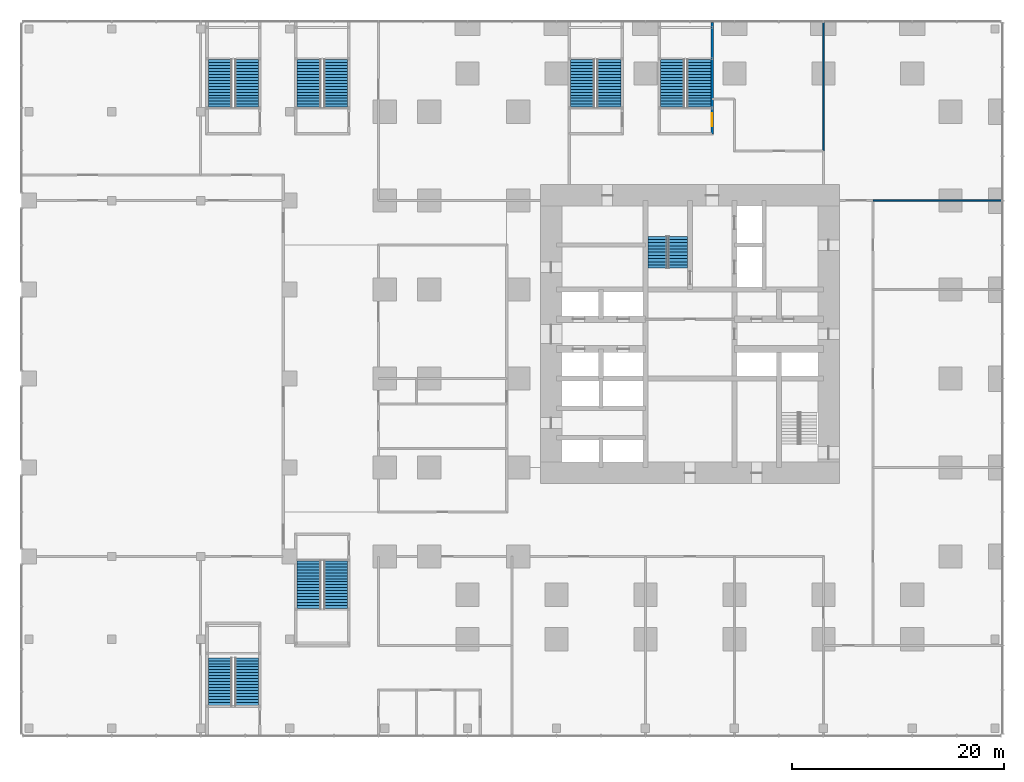
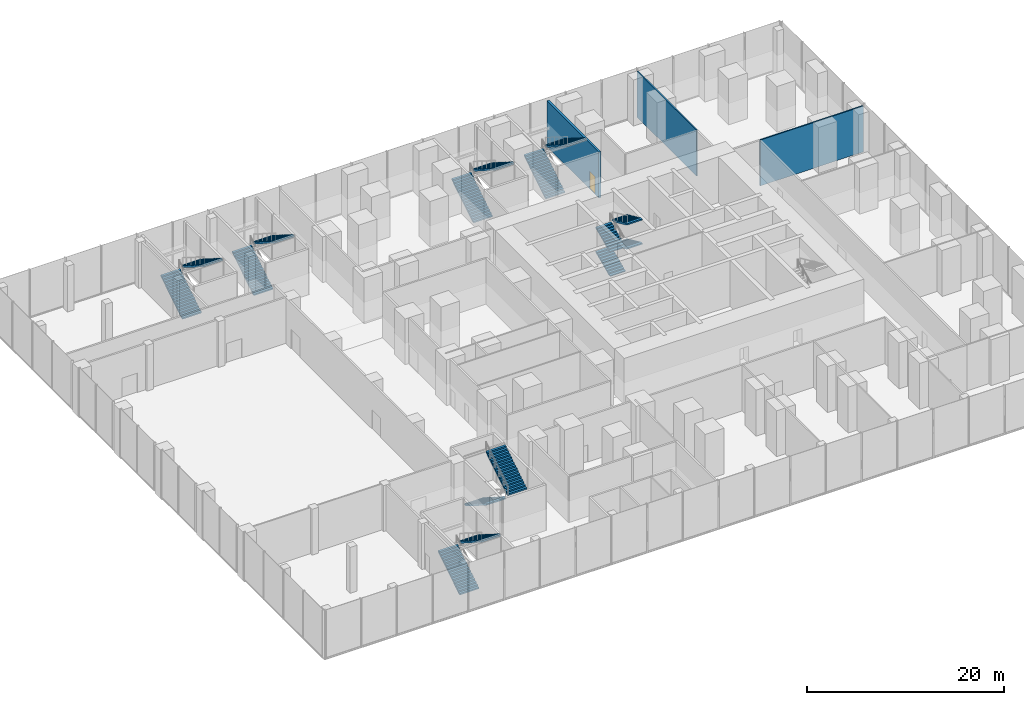
# One storey, part 29 of 32: 16 stair flights, 3 walls, 1 door, 1 opening, 7 elements without a shape of their own.
"""IFC4 building model written with IfcOpenShell, lengths in metres."""

from ifc_helpers import new_model, si_unit, direction, frame, frame_2d, origin, place, context, subcontext, project, spatial, polyline, rectangle, outline, extrude, material, layer, layer_set, type_object, element, fill, aggregate, save


model = new_model("IFC4")

# Units and contexts
model_context = context("Model", 3, precision=1e-05, world=origin(), true_north=direction((0.0, 1.0)))
body_context = subcontext(model_context, "Body", "Model", "MODEL_VIEW")
ifc_project = project(units=[si_unit("LENGTHUNIT", "METRE"), si_unit("AREAUNIT", "SQUARE_METRE"), si_unit("VOLUMEUNIT", "CUBIC_METRE"), si_unit("PLANEANGLEUNIT", "RADIAN"), si_unit("MASSUNIT", "GRAM", prefix="KILO")], contexts=[model_context])

# Site, building, storey
site_placement = place(None, origin())
site = spatial("IfcSite", under=ifc_project, at=site_placement, CompositionType="ELEMENT")
building_placement = place(site_placement, origin())
building = spatial("IfcBuilding", under=site, at=building_placement, Name="Dunama Terrace Hotel", CompositionType="ELEMENT")
storey_placement = place(building_placement, frame((0.0, 0.0, 6.0)))
storey = spatial("IfcBuildingStorey", under=building, at=storey_placement, Name="L01", CompositionType="ELEMENT", Elevation=6.0)

# Walls
ifc_material_1 = material(Name="Gypsum board partition", Category="masonry")
ifc_layer_1 = layer(ifc_material_1, 0.14990234375)
ifc_layer_set_1 = layer_set([ifc_layer_1], Name="Room partition 150")
wall_type_1 = type_object("IfcWallType", Name="Room partition 150", PredefinedType="PARTITIONING", material=ifc_layer_set_1)
for number, where, z_axis, x_axis, name in (
    (1, (42.0, 46.699951171875, 0.0), (0.0, 0.0, 1.0), (0.0, 1.0, 0.0), "Room partition 150 L01"),
    (2, (46.699951171875, 42.0, 0.0), (0.0, 0.0, 1.0), (1.0, 0.0, 0.0), "Room partition 150 L01"),
):
    element("IfcWall", number, at=place(storey_placement, frame(where, z_axis=z_axis, x_axis=x_axis)), inside=storey, type_object=wall_type_1, Name=name, PredefinedType="PARTITIONING", context=body_context, shape_type="SweptSolid", body=[
        extrude(rectangle(XDim=12.10009765625, YDim=0.14990234375, at=frame_2d((6.050048828125, 0.0))), origin(), (0.0, 0.0, 1.0), 5.699951171875),
    ])

# Wall, opening, door
ifc_material_2 = material(Name="Concrete blockwork", Category="masonry")
ifc_layer_2 = layer(ifc_material_2, 0.25)
ifc_layer_set_2 = layer_set([ifc_layer_2], Name="Stair enclosure wall 250")
wall_type_2 = type_object("IfcWallType", Name="Stair enclosure wall 250", PredefinedType="PARTITIONING", material=ifc_layer_set_2)
wall_placement = place(storey_placement, frame((31.5, 48.300048828125, 0.0), z_axis=(0.0, 0.0, 1.0), x_axis=(0.0, 1.0, 0.0)))
wall = element("IfcWall", 3, at=wall_placement, inside=storey, type_object=wall_type_2, Name="Stair enclosure wall 250 L01", PredefinedType="PARTITIONING", context=body_context, shape_type="SweptSolid", body=[
    extrude(rectangle(XDim=10.52294921875, YDim=0.25, at=frame_2d((5.261474609375, 0.0))), origin(), (0.0, 0.0, 1.0), 5.699951171875),
])
opening_placement = place(wall_placement, frame((0.72509765625, 0.0, 0.0)))
opening = element("IfcOpeningElement", 4, at=opening_placement, cuts=wall, Name="Opening L01-008", PredefinedType="OPENING", context=body_context, shape_type="SweptSolid", body=[
    extrude(rectangle(XDim=1.199951171875, YDim=2.199951171875, at=frame_2d((0.60009765625, 1.10009765625))), frame((0.0, 0.135009765625, 0.0), z_axis=(0.0, -1.0, 0.0), x_axis=(1.0, 0.0, 0.0)), (0.0, 0.0, 1.0), 0.27001953125),
])
ifc_material_3 = material(Name="Timber door with steel frame", Category="steel")
door_type = type_object("IfcDoorType", Name="Stair door 1200", OperationType="SINGLE_SWING_LEFT", PredefinedType="DOOR", material=ifc_material_3)
door_placement = place(opening_placement, origin())
door = element("IfcDoor", 5, at=door_placement, inside=storey, type_object=door_type, Name="Stair door P6 L01-008, type D5", OperationType="SINGLE_SWING_RIGHT", OverallHeight=2.199951171875, OverallWidth=1.199951171875, PredefinedType="DOOR", context=body_context, shape_type="SweptSolid", body=[
    extrude(rectangle(XDim=1.199951171875, YDim=2.199951171875, at=frame_2d((0.60009765625, 1.10009765625))), frame((0.0, 0.02490234375, 0.0), z_axis=(0.0, -1.0, 0.0), x_axis=(1.0, 0.0, 0.0)), (0.0, 0.0, 1.0), 0.050048828125),
])
fill(opening, door)

# Stair, stair flights
ifc_material_4 = material(Name="Concrete C40/50", Category="concrete")
stair_type_1 = type_object("IfcStairType", Name="Stair P1-6000-2250", PredefinedType="HALF_TURN_STAIR", material=ifc_material_4)
stair_1_placement = place(storey_placement, origin())
stair_1 = element("IfcStair", 6, at=stair_1_placement, inside=storey, type_object=stair_type_1, Name="Stair P1 L01", PredefinedType="HALF_TURN_STAIR")
ifc_material_5 = material(Name="Concrete C40/50", Category="concrete")
stair_flight_type_1 = type_object("IfcStairFlightType", Name="Stair flight P1-6000-2250", PredefinedType="STRAIGHT", material=ifc_material_5)
stair_flight_1_placement = place(storey_placement, frame((-14.949951171875, 50.824951171875, 0.0), z_axis=(0.0, 0.0, 1.0), x_axis=(0.0, 1.0, 0.0)))
stair_flight_1 = element("IfcStairFlight", 7, at=stair_flight_1_placement, type_object=stair_flight_type_1, Name="P1 flight 1", NumberOfRisers=17, NumberOfTreads=16, PredefinedType="STRAIGHT", RiserHeight=0.176470588, TreadLength=0.28, context=body_context, shape_type="SweptSolid", body=[
    extrude(outline(polyline([(0.0, 0.0), (0.0, 0.176513671875), (0.280029296875, 0.176513671875), (0.280029296875, 0.35302734375), (0.56005859375, 0.35302734375), (0.56005859375, 0.529296875), (0.840087890625, 0.529296875), (0.840087890625, 0.705810546875), (1.1201171875, 0.705810546875), (1.1201171875, 0.88232421875), (1.39990234375, 0.88232421875), (1.39990234375, 1.058837890625), (1.679931640625, 1.058837890625), (1.679931640625, 1.2353515625), (1.9599609375, 1.2353515625), (1.9599609375, 1.411865234375), (2.239990234375, 1.411865234375), (2.239990234375, 1.588134765625), (2.52001953125, 1.588134765625), (2.52001953125, 1.7646484375), (2.800048828125, 1.7646484375), (2.800048828125, 1.941162109375), (3.080078125, 1.941162109375), (3.080078125, 2.11767578125), (3.360107421875, 2.11767578125), (3.360107421875, 2.294189453125), (3.639892578125, 2.294189453125), (3.639892578125, 2.470703125), (3.919921875, 2.470703125), (3.919921875, 2.64697265625), (4.199951171875, 2.64697265625), (4.199951171875, 2.823486328125), (4.47998046875, 2.823486328125), (4.47998046875, 3.0), (4.47998046875, 2.646240234375), (0.28125, 0.0), (0.0, 0.0)])), frame((0.0, 1.125, 0.0), z_axis=(0.0, -1.0, 0.0), x_axis=(1.0, 0.0, 0.0)), (0.0, 0.0, 1.0), 2.25),
])
stair_flight_2_placement = place(storey_placement, frame((-12.449951171875, 55.304931640625, 3.0), z_axis=(0.0, 0.0, 1.0), x_axis=(0.0, -1.0, 0.0)))
stair_flight_2 = element("IfcStairFlight", 8, at=stair_flight_2_placement, type_object=stair_flight_type_1, Name="P1 flight 2", NumberOfRisers=17, NumberOfTreads=16, PredefinedType="STRAIGHT", RiserHeight=0.176470588, TreadLength=0.28, context=body_context, shape_type="SweptSolid", body=[
    extrude(outline(polyline([(0.0, 0.0), (0.0, 0.176513671875), (0.280029296875, 0.176513671875), (0.280029296875, 0.35302734375), (0.56005859375, 0.35302734375), (0.56005859375, 0.529296875), (0.840087890625, 0.529296875), (0.840087890625, 0.705810546875), (1.1201171875, 0.705810546875), (1.1201171875, 0.88232421875), (1.39990234375, 0.88232421875), (1.39990234375, 1.058837890625), (1.679931640625, 1.058837890625), (1.679931640625, 1.2353515625), (1.9599609375, 1.2353515625), (1.9599609375, 1.411865234375), (2.239990234375, 1.411865234375), (2.239990234375, 1.588134765625), (2.52001953125, 1.588134765625), (2.52001953125, 1.7646484375), (2.800048828125, 1.7646484375), (2.800048828125, 1.941162109375), (3.080078125, 1.941162109375), (3.080078125, 2.11767578125), (3.360107421875, 2.11767578125), (3.360107421875, 2.294189453125), (3.639892578125, 2.294189453125), (3.639892578125, 2.470703125), (3.919921875, 2.470703125), (3.919921875, 2.64697265625), (4.199951171875, 2.64697265625), (4.199951171875, 2.823486328125), (4.47998046875, 2.823486328125), (4.47998046875, 3.0), (4.47998046875, 2.646240234375), (0.28125, 0.0), (0.0, 0.0)])), frame((0.0, 1.125, 0.0), z_axis=(0.0, -1.0, 0.0), x_axis=(1.0, 0.0, 0.0)), (0.0, 0.0, 1.0), 2.25),
])
aggregate(stair_1, [stair_flight_1, stair_flight_2])

ifc_material_6 = material(Name="Concrete C40/50", Category="concrete")
stair_type_2 = type_object("IfcStairType", Name="Stair P2-6000-2250", PredefinedType="HALF_TURN_STAIR", material=ifc_material_6)
stair_2_placement = place(storey_placement, origin())
stair_2 = element("IfcStair", 9, at=stair_2_placement, inside=storey, type_object=stair_type_2, Name="Stair P2 L01", PredefinedType="HALF_TURN_STAIR")
ifc_material_7 = material(Name="Concrete C40/50", Category="concrete")
stair_flight_type_2 = type_object("IfcStairFlightType", Name="Stair flight P2-6000-2250", PredefinedType="STRAIGHT", material=ifc_material_7)
stair_flight_3_placement = place(storey_placement, frame((-14.949951171875, -5.64990234375, 0.0), z_axis=(0.0, 0.0, 1.0), x_axis=(0.0, 1.0, 0.0)))
stair_flight_3 = element("IfcStairFlight", 10, at=stair_flight_3_placement, type_object=stair_flight_type_2, Name="P2 flight 1", NumberOfRisers=17, NumberOfTreads=16, PredefinedType="STRAIGHT", RiserHeight=0.176470588, TreadLength=0.28, context=body_context, shape_type="SweptSolid", body=[
    extrude(outline(polyline([(0.0, 0.0), (0.0, 0.176513671875), (0.280029296875, 0.176513671875), (0.280029296875, 0.35302734375), (0.56005859375, 0.35302734375), (0.56005859375, 0.529296875), (0.840087890625, 0.529296875), (0.840087890625, 0.705810546875), (1.1201171875, 0.705810546875), (1.1201171875, 0.88232421875), (1.39990234375, 0.88232421875), (1.39990234375, 1.058837890625), (1.679931640625, 1.058837890625), (1.679931640625, 1.2353515625), (1.9599609375, 1.2353515625), (1.9599609375, 1.411865234375), (2.239990234375, 1.411865234375), (2.239990234375, 1.588134765625), (2.52001953125, 1.588134765625), (2.52001953125, 1.7646484375), (2.800048828125, 1.7646484375), (2.800048828125, 1.941162109375), (3.080078125, 1.941162109375), (3.080078125, 2.11767578125), (3.360107421875, 2.11767578125), (3.360107421875, 2.294189453125), (3.639892578125, 2.294189453125), (3.639892578125, 2.470703125), (3.919921875, 2.470703125), (3.919921875, 2.64697265625), (4.199951171875, 2.64697265625), (4.199951171875, 2.823486328125), (4.47998046875, 2.823486328125), (4.47998046875, 3.0), (4.47998046875, 2.646240234375), (0.28125, 0.0), (0.0, 0.0)])), frame((0.0, 1.125, 0.0), z_axis=(0.0, -1.0, 0.0), x_axis=(1.0, 0.0, 0.0)), (0.0, 0.0, 1.0), 2.25),
])
stair_flight_4_placement = place(storey_placement, frame((-12.449951171875, -1.169921875, 3.0), z_axis=(0.0, 0.0, 1.0), x_axis=(0.0, -1.0, 0.0)))
stair_flight_4 = element("IfcStairFlight", 11, at=stair_flight_4_placement, type_object=stair_flight_type_2, Name="P2 flight 2", NumberOfRisers=17, NumberOfTreads=16, PredefinedType="STRAIGHT", RiserHeight=0.176470588, TreadLength=0.28, context=body_context, shape_type="SweptSolid", body=[
    extrude(outline(polyline([(0.0, 0.0), (0.0, 0.176513671875), (0.280029296875, 0.176513671875), (0.280029296875, 0.35302734375), (0.56005859375, 0.35302734375), (0.56005859375, 0.529296875), (0.840087890625, 0.529296875), (0.840087890625, 0.705810546875), (1.1201171875, 0.705810546875), (1.1201171875, 0.88232421875), (1.39990234375, 0.88232421875), (1.39990234375, 1.058837890625), (1.679931640625, 1.058837890625), (1.679931640625, 1.2353515625), (1.9599609375, 1.2353515625), (1.9599609375, 1.411865234375), (2.239990234375, 1.411865234375), (2.239990234375, 1.588134765625), (2.52001953125, 1.588134765625), (2.52001953125, 1.7646484375), (2.800048828125, 1.7646484375), (2.800048828125, 1.941162109375), (3.080078125, 1.941162109375), (3.080078125, 2.11767578125), (3.360107421875, 2.11767578125), (3.360107421875, 2.294189453125), (3.639892578125, 2.294189453125), (3.639892578125, 2.470703125), (3.919921875, 2.470703125), (3.919921875, 2.64697265625), (4.199951171875, 2.64697265625), (4.199951171875, 2.823486328125), (4.47998046875, 2.823486328125), (4.47998046875, 3.0), (4.47998046875, 2.646240234375), (0.28125, 0.0), (0.0, 0.0)])), frame((0.0, 1.125, 0.0), z_axis=(0.0, -1.0, 0.0), x_axis=(1.0, 0.0, 0.0)), (0.0, 0.0, 1.0), 2.25),
])
aggregate(stair_2, [stair_flight_3, stair_flight_4])

ifc_material_8 = material(Name="Concrete C40/50", Category="concrete")
stair_type_3 = type_object("IfcStairType", Name="Stair P3-6000-2250", PredefinedType="HALF_TURN_STAIR", material=ifc_material_8)
stair_3_placement = place(storey_placement, origin())
stair_3 = element("IfcStair", 12, at=stair_3_placement, inside=storey, type_object=stair_type_3, Name="Stair P3 L01", PredefinedType="HALF_TURN_STAIR")
ifc_material_9 = material(Name="Concrete C40/50", Category="concrete")
stair_flight_type_3 = type_object("IfcStairFlightType", Name="Stair flight P3-6000-2250", PredefinedType="STRAIGHT", material=ifc_material_9)
stair_flight_5_placement = place(storey_placement, frame((-6.550048828125, 50.824951171875, 0.0), z_axis=(0.0, 0.0, 1.0), x_axis=(0.0, 1.0, 0.0)))
stair_flight_5 = element("IfcStairFlight", 13, at=stair_flight_5_placement, type_object=stair_flight_type_3, Name="P3 flight 1", NumberOfRisers=17, NumberOfTreads=16, PredefinedType="STRAIGHT", RiserHeight=0.176470588, TreadLength=0.28, context=body_context, shape_type="SweptSolid", body=[
    extrude(outline(polyline([(0.0, 0.0), (0.0, 0.176513671875), (0.280029296875, 0.176513671875), (0.280029296875, 0.35302734375), (0.56005859375, 0.35302734375), (0.56005859375, 0.529296875), (0.840087890625, 0.529296875), (0.840087890625, 0.705810546875), (1.1201171875, 0.705810546875), (1.1201171875, 0.88232421875), (1.39990234375, 0.88232421875), (1.39990234375, 1.058837890625), (1.679931640625, 1.058837890625), (1.679931640625, 1.2353515625), (1.9599609375, 1.2353515625), (1.9599609375, 1.411865234375), (2.239990234375, 1.411865234375), (2.239990234375, 1.588134765625), (2.52001953125, 1.588134765625), (2.52001953125, 1.7646484375), (2.800048828125, 1.7646484375), (2.800048828125, 1.941162109375), (3.080078125, 1.941162109375), (3.080078125, 2.11767578125), (3.360107421875, 2.11767578125), (3.360107421875, 2.294189453125), (3.639892578125, 2.294189453125), (3.639892578125, 2.470703125), (3.919921875, 2.470703125), (3.919921875, 2.64697265625), (4.199951171875, 2.64697265625), (4.199951171875, 2.823486328125), (4.47998046875, 2.823486328125), (4.47998046875, 3.0), (4.47998046875, 2.646240234375), (0.28125, 0.0), (0.0, 0.0)])), frame((0.0, 1.125, 0.0), z_axis=(0.0, -1.0, 0.0), x_axis=(1.0, 0.0, 0.0)), (0.0, 0.0, 1.0), 2.25),
])
stair_flight_6_placement = place(storey_placement, frame((-4.050048828125, 55.304931640625, 3.0), z_axis=(0.0, 0.0, 1.0), x_axis=(0.0, -1.0, 0.0)))
stair_flight_6 = element("IfcStairFlight", 14, at=stair_flight_6_placement, type_object=stair_flight_type_3, Name="P3 flight 2", NumberOfRisers=17, NumberOfTreads=16, PredefinedType="STRAIGHT", RiserHeight=0.176470588, TreadLength=0.28, context=body_context, shape_type="SweptSolid", body=[
    extrude(outline(polyline([(0.0, 0.0), (0.0, 0.176513671875), (0.280029296875, 0.176513671875), (0.280029296875, 0.35302734375), (0.56005859375, 0.35302734375), (0.56005859375, 0.529296875), (0.840087890625, 0.529296875), (0.840087890625, 0.705810546875), (1.1201171875, 0.705810546875), (1.1201171875, 0.88232421875), (1.39990234375, 0.88232421875), (1.39990234375, 1.058837890625), (1.679931640625, 1.058837890625), (1.679931640625, 1.2353515625), (1.9599609375, 1.2353515625), (1.9599609375, 1.411865234375), (2.239990234375, 1.411865234375), (2.239990234375, 1.588134765625), (2.52001953125, 1.588134765625), (2.52001953125, 1.7646484375), (2.800048828125, 1.7646484375), (2.800048828125, 1.941162109375), (3.080078125, 1.941162109375), (3.080078125, 2.11767578125), (3.360107421875, 2.11767578125), (3.360107421875, 2.294189453125), (3.639892578125, 2.294189453125), (3.639892578125, 2.470703125), (3.919921875, 2.470703125), (3.919921875, 2.64697265625), (4.199951171875, 2.64697265625), (4.199951171875, 2.823486328125), (4.47998046875, 2.823486328125), (4.47998046875, 3.0), (4.47998046875, 2.646240234375), (0.28125, 0.0), (0.0, 0.0)])), frame((0.0, 1.125, 0.0), z_axis=(0.0, -1.0, 0.0), x_axis=(1.0, 0.0, 0.0)), (0.0, 0.0, 1.0), 2.25),
])
aggregate(stair_3, [stair_flight_5, stair_flight_6])

ifc_material_10 = material(Name="Concrete C40/50", Category="concrete")
stair_type_4 = type_object("IfcStairType", Name="Stair P4-6000-2250", PredefinedType="HALF_TURN_STAIR", material=ifc_material_10)
stair_4_placement = place(storey_placement, origin())
stair_4 = element("IfcStair", 15, at=stair_4_placement, inside=storey, type_object=stair_type_4, Name="Stair P4 L01", PredefinedType="HALF_TURN_STAIR")
ifc_material_11 = material(Name="Concrete C40/50", Category="concrete")
stair_flight_type_4 = type_object("IfcStairFlightType", Name="Stair flight P4-6000-2250", PredefinedType="STRAIGHT", material=ifc_material_11)
stair_flight_7_placement = place(storey_placement, frame((-6.550048828125, 7.97509765625, 0.0), z_axis=(0.0, 0.0, 1.0), x_axis=(0.0, -1.0, 0.0)))
stair_flight_7 = element("IfcStairFlight", 16, at=stair_flight_7_placement, type_object=stair_flight_type_4, Name="P4 flight 1", NumberOfRisers=17, NumberOfTreads=16, PredefinedType="STRAIGHT", RiserHeight=0.176470588, TreadLength=0.28, context=body_context, shape_type="SweptSolid", body=[
    extrude(outline(polyline([(0.0, 0.0), (0.0, 0.176513671875), (0.280029296875, 0.176513671875), (0.280029296875, 0.35302734375), (0.56005859375, 0.35302734375), (0.56005859375, 0.529296875), (0.840087890625, 0.529296875), (0.840087890625, 0.705810546875), (1.1201171875, 0.705810546875), (1.1201171875, 0.88232421875), (1.39990234375, 0.88232421875), (1.39990234375, 1.058837890625), (1.679931640625, 1.058837890625), (1.679931640625, 1.2353515625), (1.9599609375, 1.2353515625), (1.9599609375, 1.411865234375), (2.239990234375, 1.411865234375), (2.239990234375, 1.588134765625), (2.52001953125, 1.588134765625), (2.52001953125, 1.7646484375), (2.800048828125, 1.7646484375), (2.800048828125, 1.941162109375), (3.080078125, 1.941162109375), (3.080078125, 2.11767578125), (3.360107421875, 2.11767578125), (3.360107421875, 2.294189453125), (3.639892578125, 2.294189453125), (3.639892578125, 2.470703125), (3.919921875, 2.470703125), (3.919921875, 2.64697265625), (4.199951171875, 2.64697265625), (4.199951171875, 2.823486328125), (4.47998046875, 2.823486328125), (4.47998046875, 3.0), (4.47998046875, 2.646240234375), (0.28125, 0.0), (0.0, 0.0)])), frame((0.0, 1.125, 0.0), z_axis=(0.0, -1.0, 0.0), x_axis=(1.0, 0.0, 0.0)), (0.0, 0.0, 1.0), 2.25),
])
stair_flight_8_placement = place(storey_placement, frame((-4.050048828125, 3.4951171875, 3.0), z_axis=(0.0, 0.0, 1.0), x_axis=(0.0, 1.0, 0.0)))
stair_flight_8 = element("IfcStairFlight", 17, at=stair_flight_8_placement, type_object=stair_flight_type_4, Name="P4 flight 2", NumberOfRisers=17, NumberOfTreads=16, PredefinedType="STRAIGHT", RiserHeight=0.176470588, TreadLength=0.28, context=body_context, shape_type="SweptSolid", body=[
    extrude(outline(polyline([(0.0, 0.0), (0.0, 0.176513671875), (0.280029296875, 0.176513671875), (0.280029296875, 0.35302734375), (0.56005859375, 0.35302734375), (0.56005859375, 0.529296875), (0.840087890625, 0.529296875), (0.840087890625, 0.705810546875), (1.1201171875, 0.705810546875), (1.1201171875, 0.88232421875), (1.39990234375, 0.88232421875), (1.39990234375, 1.058837890625), (1.679931640625, 1.058837890625), (1.679931640625, 1.2353515625), (1.9599609375, 1.2353515625), (1.9599609375, 1.411865234375), (2.239990234375, 1.411865234375), (2.239990234375, 1.588134765625), (2.52001953125, 1.588134765625), (2.52001953125, 1.7646484375), (2.800048828125, 1.7646484375), (2.800048828125, 1.941162109375), (3.080078125, 1.941162109375), (3.080078125, 2.11767578125), (3.360107421875, 2.11767578125), (3.360107421875, 2.294189453125), (3.639892578125, 2.294189453125), (3.639892578125, 2.470703125), (3.919921875, 2.470703125), (3.919921875, 2.64697265625), (4.199951171875, 2.64697265625), (4.199951171875, 2.823486328125), (4.47998046875, 2.823486328125), (4.47998046875, 3.0), (4.47998046875, 2.646240234375), (0.28125, 0.0), (0.0, 0.0)])), frame((0.0, 1.125, 0.0), z_axis=(0.0, -1.0, 0.0), x_axis=(1.0, 0.0, 0.0)), (0.0, 0.0, 1.0), 2.25),
])
aggregate(stair_4, [stair_flight_7, stair_flight_8])

ifc_material_12 = material(Name="Concrete C40/50", Category="concrete")
stair_type_5 = type_object("IfcStairType", Name="Stair P5-6000-2250", PredefinedType="HALF_TURN_STAIR", material=ifc_material_12)
stair_5_placement = place(storey_placement, origin())
stair_5 = element("IfcStair", 18, at=stair_5_placement, inside=storey, type_object=stair_type_5, Name="Stair P5 L01", PredefinedType="HALF_TURN_STAIR")
ifc_material_13 = material(Name="Concrete C40/50", Category="concrete")
stair_flight_type_5 = type_object("IfcStairFlightType", Name="Stair flight P5-6000-2250", PredefinedType="STRAIGHT", material=ifc_material_13)
stair_flight_9_placement = place(storey_placement, frame((19.25, 50.824951171875, 0.0), z_axis=(0.0, 0.0, 1.0), x_axis=(0.0, 1.0, 0.0)))
stair_flight_9 = element("IfcStairFlight", 19, at=stair_flight_9_placement, type_object=stair_flight_type_5, Name="P5 flight 1", NumberOfRisers=17, NumberOfTreads=16, PredefinedType="STRAIGHT", RiserHeight=0.176470588, TreadLength=0.28, context=body_context, shape_type="SweptSolid", body=[
    extrude(outline(polyline([(0.0, 0.0), (0.0, 0.176513671875), (0.280029296875, 0.176513671875), (0.280029296875, 0.35302734375), (0.56005859375, 0.35302734375), (0.56005859375, 0.529296875), (0.840087890625, 0.529296875), (0.840087890625, 0.705810546875), (1.1201171875, 0.705810546875), (1.1201171875, 0.88232421875), (1.39990234375, 0.88232421875), (1.39990234375, 1.058837890625), (1.679931640625, 1.058837890625), (1.679931640625, 1.2353515625), (1.9599609375, 1.2353515625), (1.9599609375, 1.411865234375), (2.239990234375, 1.411865234375), (2.239990234375, 1.588134765625), (2.52001953125, 1.588134765625), (2.52001953125, 1.7646484375), (2.800048828125, 1.7646484375), (2.800048828125, 1.941162109375), (3.080078125, 1.941162109375), (3.080078125, 2.11767578125), (3.360107421875, 2.11767578125), (3.360107421875, 2.294189453125), (3.639892578125, 2.294189453125), (3.639892578125, 2.470703125), (3.919921875, 2.470703125), (3.919921875, 2.64697265625), (4.199951171875, 2.64697265625), (4.199951171875, 2.823486328125), (4.47998046875, 2.823486328125), (4.47998046875, 3.0), (4.47998046875, 2.646240234375), (0.28125, 0.0), (0.0, 0.0)])), frame((0.0, 1.125, 0.0), z_axis=(0.0, -1.0, 0.0), x_axis=(1.0, 0.0, 0.0)), (0.0, 0.0, 1.0), 2.25),
])
stair_flight_10_placement = place(storey_placement, frame((21.75, 55.304931640625, 3.0), z_axis=(0.0, 0.0, 1.0), x_axis=(0.0, -1.0, 0.0)))
stair_flight_10 = element("IfcStairFlight", 20, at=stair_flight_10_placement, type_object=stair_flight_type_5, Name="P5 flight 2", NumberOfRisers=17, NumberOfTreads=16, PredefinedType="STRAIGHT", RiserHeight=0.176470588, TreadLength=0.28, context=body_context, shape_type="SweptSolid", body=[
    extrude(outline(polyline([(0.0, 0.0), (0.0, 0.176513671875), (0.280029296875, 0.176513671875), (0.280029296875, 0.35302734375), (0.56005859375, 0.35302734375), (0.56005859375, 0.529296875), (0.840087890625, 0.529296875), (0.840087890625, 0.705810546875), (1.1201171875, 0.705810546875), (1.1201171875, 0.88232421875), (1.39990234375, 0.88232421875), (1.39990234375, 1.058837890625), (1.679931640625, 1.058837890625), (1.679931640625, 1.2353515625), (1.9599609375, 1.2353515625), (1.9599609375, 1.411865234375), (2.239990234375, 1.411865234375), (2.239990234375, 1.588134765625), (2.52001953125, 1.588134765625), (2.52001953125, 1.7646484375), (2.800048828125, 1.7646484375), (2.800048828125, 1.941162109375), (3.080078125, 1.941162109375), (3.080078125, 2.11767578125), (3.360107421875, 2.11767578125), (3.360107421875, 2.294189453125), (3.639892578125, 2.294189453125), (3.639892578125, 2.470703125), (3.919921875, 2.470703125), (3.919921875, 2.64697265625), (4.199951171875, 2.64697265625), (4.199951171875, 2.823486328125), (4.47998046875, 2.823486328125), (4.47998046875, 3.0), (4.47998046875, 2.646240234375), (0.28125, 0.0), (0.0, 0.0)])), frame((0.0, 1.125, 0.0), z_axis=(0.0, -1.0, 0.0), x_axis=(1.0, 0.0, 0.0)), (0.0, 0.0, 1.0), 2.25),
])
aggregate(stair_5, [stair_flight_9, stair_flight_10])

ifc_material_14 = material(Name="Concrete C40/50", Category="concrete")
stair_type_6 = type_object("IfcStairType", Name="Stair P6-6000-2250", PredefinedType="HALF_TURN_STAIR", material=ifc_material_14)
stair_6_placement = place(storey_placement, origin())
stair_6 = element("IfcStair", 21, at=stair_6_placement, inside=storey, type_object=stair_type_6, Name="Stair P6 L01", PredefinedType="HALF_TURN_STAIR")
ifc_material_15 = material(Name="Concrete C40/50", Category="concrete")
stair_flight_type_6 = type_object("IfcStairFlightType", Name="Stair flight P6-6000-2250", PredefinedType="STRAIGHT", material=ifc_material_15)
stair_flight_11_placement = place(storey_placement, frame((27.75, 50.824951171875, 0.0), z_axis=(0.0, 0.0, 1.0), x_axis=(0.0, 1.0, 0.0)))
stair_flight_11 = element("IfcStairFlight", 22, at=stair_flight_11_placement, type_object=stair_flight_type_6, Name="P6 flight 1", NumberOfRisers=17, NumberOfTreads=16, PredefinedType="STRAIGHT", RiserHeight=0.176470588, TreadLength=0.28, context=body_context, shape_type="SweptSolid", body=[
    extrude(outline(polyline([(0.0, 0.0), (0.0, 0.176513671875), (0.280029296875, 0.176513671875), (0.280029296875, 0.35302734375), (0.56005859375, 0.35302734375), (0.56005859375, 0.529296875), (0.840087890625, 0.529296875), (0.840087890625, 0.705810546875), (1.1201171875, 0.705810546875), (1.1201171875, 0.88232421875), (1.39990234375, 0.88232421875), (1.39990234375, 1.058837890625), (1.679931640625, 1.058837890625), (1.679931640625, 1.2353515625), (1.9599609375, 1.2353515625), (1.9599609375, 1.411865234375), (2.239990234375, 1.411865234375), (2.239990234375, 1.588134765625), (2.52001953125, 1.588134765625), (2.52001953125, 1.7646484375), (2.800048828125, 1.7646484375), (2.800048828125, 1.941162109375), (3.080078125, 1.941162109375), (3.080078125, 2.11767578125), (3.360107421875, 2.11767578125), (3.360107421875, 2.294189453125), (3.639892578125, 2.294189453125), (3.639892578125, 2.470703125), (3.919921875, 2.470703125), (3.919921875, 2.64697265625), (4.199951171875, 2.64697265625), (4.199951171875, 2.823486328125), (4.47998046875, 2.823486328125), (4.47998046875, 3.0), (4.47998046875, 2.646240234375), (0.28125, 0.0), (0.0, 0.0)])), frame((0.0, 1.125, 0.0), z_axis=(0.0, -1.0, 0.0), x_axis=(1.0, 0.0, 0.0)), (0.0, 0.0, 1.0), 2.25),
])
stair_flight_12_placement = place(storey_placement, frame((30.25, 55.304931640625, 3.0), z_axis=(0.0, 0.0, 1.0), x_axis=(0.0, -1.0, 0.0)))
stair_flight_12 = element("IfcStairFlight", 23, at=stair_flight_12_placement, type_object=stair_flight_type_6, Name="P6 flight 2", NumberOfRisers=17, NumberOfTreads=16, PredefinedType="STRAIGHT", RiserHeight=0.176470588, TreadLength=0.28, context=body_context, shape_type="SweptSolid", body=[
    extrude(outline(polyline([(0.0, 0.0), (0.0, 0.176513671875), (0.280029296875, 0.176513671875), (0.280029296875, 0.35302734375), (0.56005859375, 0.35302734375), (0.56005859375, 0.529296875), (0.840087890625, 0.529296875), (0.840087890625, 0.705810546875), (1.1201171875, 0.705810546875), (1.1201171875, 0.88232421875), (1.39990234375, 0.88232421875), (1.39990234375, 1.058837890625), (1.679931640625, 1.058837890625), (1.679931640625, 1.2353515625), (1.9599609375, 1.2353515625), (1.9599609375, 1.411865234375), (2.239990234375, 1.411865234375), (2.239990234375, 1.588134765625), (2.52001953125, 1.588134765625), (2.52001953125, 1.7646484375), (2.800048828125, 1.7646484375), (2.800048828125, 1.941162109375), (3.080078125, 1.941162109375), (3.080078125, 2.11767578125), (3.360107421875, 2.11767578125), (3.360107421875, 2.294189453125), (3.639892578125, 2.294189453125), (3.639892578125, 2.470703125), (3.919921875, 2.470703125), (3.919921875, 2.64697265625), (4.199951171875, 2.64697265625), (4.199951171875, 2.823486328125), (4.47998046875, 2.823486328125), (4.47998046875, 3.0), (4.47998046875, 2.646240234375), (0.28125, 0.0), (0.0, 0.0)])), frame((0.0, 1.125, 0.0), z_axis=(0.0, -1.0, 0.0), x_axis=(1.0, 0.0, 0.0)), (0.0, 0.0, 1.0), 2.25),
])
aggregate(stair_6, [stair_flight_11, stair_flight_12])

ifc_material_16 = material(Name="Concrete C40/50", Category="concrete")
stair_type_7 = type_object("IfcStairType", Name="Stair ST1-6000-1800", PredefinedType="HALF_TURN_STAIR", material=ifc_material_16)
stair_7_placement = place(storey_placement, origin())
stair_7 = element("IfcStair", 24, at=stair_7_placement, inside=storey, type_object=stair_type_7, Name="Stair ST1 L01", PredefinedType="HALF_TURN_STAIR")
ifc_material_17 = material(Name="Concrete C40/50", Category="concrete")
stair_flight_type_7 = type_object("IfcStairFlightType", Name="Stair flight ST1-6000-1800", PredefinedType="STRAIGHT", material=ifc_material_17)
stair_flight_13_placement = place(storey_placement, frame((26.324951171875, 35.625, 0.0), z_axis=(0.0, 0.0, 1.0), x_axis=(0.0, 1.0, 0.0)))
stair_flight_13 = element("IfcStairFlight", 25, at=stair_flight_13_placement, type_object=stair_flight_type_7, Name="ST1 flight 1", NumberOfRisers=11, NumberOfTreads=10, PredefinedType="STRAIGHT", RiserHeight=0.136363636, TreadLength=0.3, context=body_context, shape_type="SweptSolid", body=[
    extrude(outline(polyline([(0.0, 0.0), (0.0, 0.136474609375), (0.300048828125, 0.136474609375), (0.300048828125, 0.272705078125), (0.60009765625, 0.272705078125), (0.60009765625, 0.4091796875), (0.89990234375, 0.4091796875), (0.89990234375, 0.54541015625), (1.199951171875, 0.54541015625), (1.199951171875, 0.681884765625), (1.5, 0.681884765625), (1.5, 0.818115234375), (1.800048828125, 0.818115234375), (1.800048828125, 0.95458984375), (2.10009765625, 0.95458984375), (2.10009765625, 1.0908203125), (2.39990234375, 1.0908203125), (2.39990234375, 1.227294921875), (2.699951171875, 1.227294921875), (2.699951171875, 1.363525390625), (3.0, 1.363525390625), (3.0, 1.5), (3.0, 1.198974609375), (0.3623046875, 0.0), (0.0, 0.0)])), frame((0.0, 0.89990234375, 0.0), z_axis=(0.0, -1.0, 0.0), x_axis=(1.0, 0.0, 0.0)), (0.0, 0.0, 1.0), 1.800048828125),
])
stair_flight_14_placement = place(storey_placement, frame((28.27490234375, 38.625, 1.5), z_axis=(0.0, 0.0, 1.0), x_axis=(0.0, -1.0, 0.0)))
stair_flight_14 = element("IfcStairFlight", 26, at=stair_flight_14_placement, type_object=stair_flight_type_7, Name="ST1 flight 2", NumberOfRisers=11, NumberOfTreads=10, PredefinedType="STRAIGHT", RiserHeight=0.136363636, TreadLength=0.3, context=body_context, shape_type="SweptSolid", body=[
    extrude(outline(polyline([(0.0, 0.0), (0.0, 0.136474609375), (0.300048828125, 0.136474609375), (0.300048828125, 0.272705078125), (0.60009765625, 0.272705078125), (0.60009765625, 0.4091796875), (0.89990234375, 0.4091796875), (0.89990234375, 0.54541015625), (1.199951171875, 0.54541015625), (1.199951171875, 0.681884765625), (1.5, 0.681884765625), (1.5, 0.818115234375), (1.800048828125, 0.818115234375), (1.800048828125, 0.95458984375), (2.10009765625, 0.95458984375), (2.10009765625, 1.0908203125), (2.39990234375, 1.0908203125), (2.39990234375, 1.227294921875), (2.699951171875, 1.227294921875), (2.699951171875, 1.363525390625), (3.0, 1.363525390625), (3.0, 1.5), (3.0, 1.198974609375), (0.3623046875, 0.0), (0.0, 0.0)])), frame((0.0, 0.89990234375, 0.0), z_axis=(0.0, -1.0, 0.0), x_axis=(1.0, 0.0, 0.0)), (0.0, 0.0, 1.0), 1.800048828125),
])
stair_flight_15_placement = place(storey_placement, frame((26.324951171875, 35.625, 3.0), z_axis=(0.0, 0.0, 1.0), x_axis=(0.0, 1.0, 0.0)))
stair_flight_15 = element("IfcStairFlight", 27, at=stair_flight_15_placement, type_object=stair_flight_type_7, Name="ST1 flight 3", NumberOfRisers=11, NumberOfTreads=10, PredefinedType="STRAIGHT", RiserHeight=0.136363636, TreadLength=0.3, context=body_context, shape_type="SweptSolid", body=[
    extrude(outline(polyline([(0.0, 0.0), (0.0, 0.136474609375), (0.300048828125, 0.136474609375), (0.300048828125, 0.272705078125), (0.60009765625, 0.272705078125), (0.60009765625, 0.4091796875), (0.89990234375, 0.4091796875), (0.89990234375, 0.54541015625), (1.199951171875, 0.54541015625), (1.199951171875, 0.681884765625), (1.5, 0.681884765625), (1.5, 0.818115234375), (1.800048828125, 0.818115234375), (1.800048828125, 0.95458984375), (2.10009765625, 0.95458984375), (2.10009765625, 1.0908203125), (2.39990234375, 1.0908203125), (2.39990234375, 1.227294921875), (2.699951171875, 1.227294921875), (2.699951171875, 1.363525390625), (3.0, 1.363525390625), (3.0, 1.5), (3.0, 1.198974609375), (0.3623046875, 0.0), (0.0, 0.0)])), frame((0.0, 0.89990234375, 0.0), z_axis=(0.0, -1.0, 0.0), x_axis=(1.0, 0.0, 0.0)), (0.0, 0.0, 1.0), 1.800048828125),
])
stair_flight_16_placement = place(storey_placement, frame((28.27490234375, 38.625, 4.5), z_axis=(0.0, 0.0, 1.0), x_axis=(0.0, -1.0, 0.0)))
stair_flight_16 = element("IfcStairFlight", 28, at=stair_flight_16_placement, type_object=stair_flight_type_7, Name="ST1 flight 4", NumberOfRisers=11, NumberOfTreads=10, PredefinedType="STRAIGHT", RiserHeight=0.136363636, TreadLength=0.3, context=body_context, shape_type="SweptSolid", body=[
    extrude(outline(polyline([(0.0, 0.0), (0.0, 0.136474609375), (0.300048828125, 0.136474609375), (0.300048828125, 0.272705078125), (0.60009765625, 0.272705078125), (0.60009765625, 0.4091796875), (0.89990234375, 0.4091796875), (0.89990234375, 0.54541015625), (1.199951171875, 0.54541015625), (1.199951171875, 0.681884765625), (1.5, 0.681884765625), (1.5, 0.818115234375), (1.800048828125, 0.818115234375), (1.800048828125, 0.95458984375), (2.10009765625, 0.95458984375), (2.10009765625, 1.0908203125), (2.39990234375, 1.0908203125), (2.39990234375, 1.227294921875), (2.699951171875, 1.227294921875), (2.699951171875, 1.363525390625), (3.0, 1.363525390625), (3.0, 1.5), (3.0, 1.198974609375), (0.3623046875, 0.0), (0.0, 0.0)])), frame((0.0, 0.89990234375, 0.0), z_axis=(0.0, -1.0, 0.0), x_axis=(1.0, 0.0, 0.0)), (0.0, 0.0, 1.0), 1.800048828125),
])
aggregate(stair_7, [stair_flight_13, stair_flight_14, stair_flight_15, stair_flight_16])

save(model, "model.ifc")
